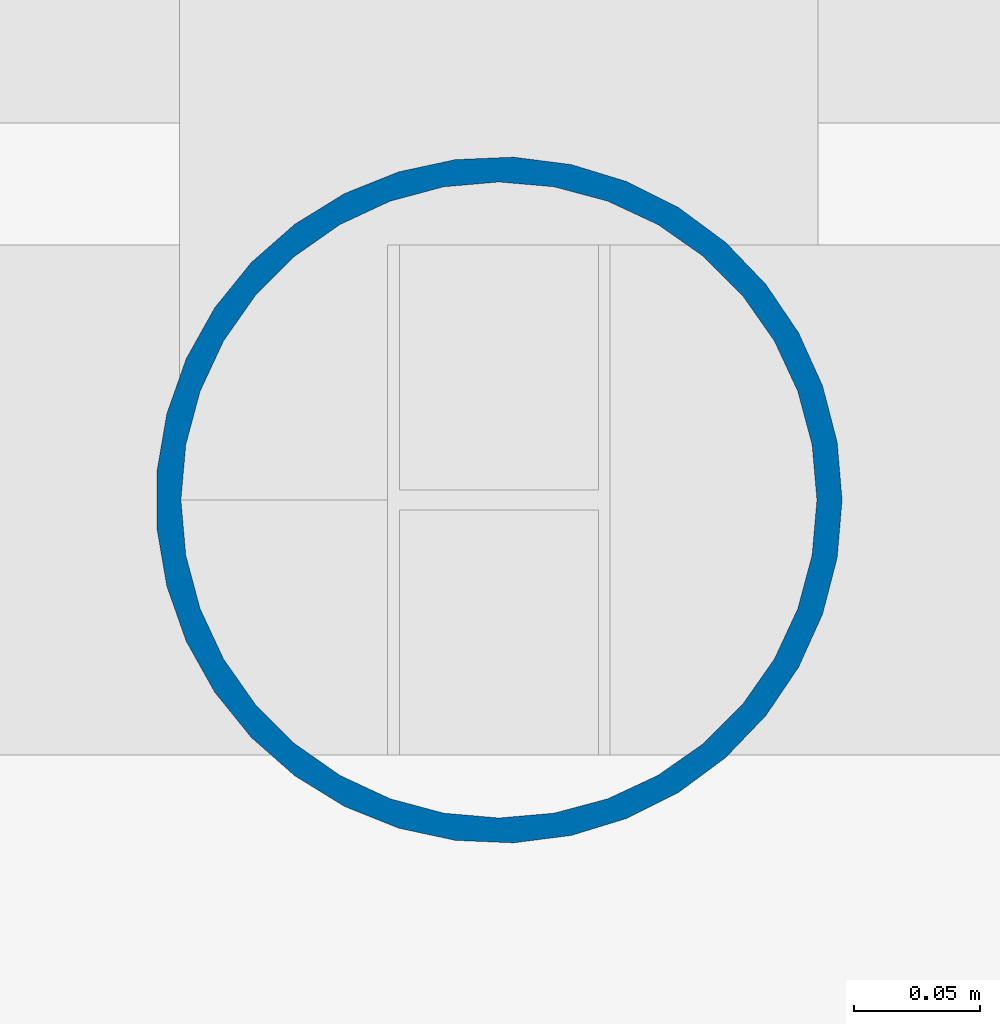
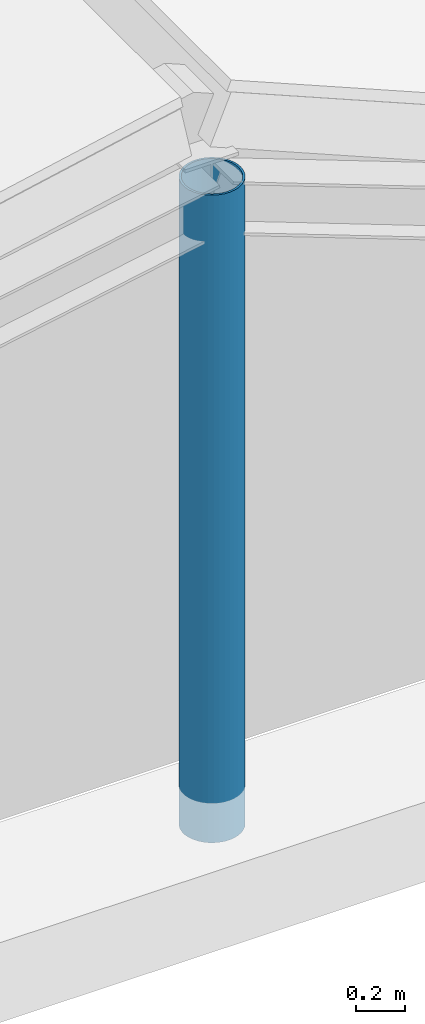
# One storey, part 3 of 43: 1 column.
"""IFC4 building model written with IfcOpenShell, lengths in metres."""

from ifc_helpers import new_model, si_unit, direction, frame, origin, origin_2d, place, context, subcontext, project, spatial, hollow_circle, extrude, material, material_profile, profile_set, type_object, element, save


model = new_model("IFC4")

# Units and contexts
model_context = context("Model", 3, precision=1e-05, world=origin(), true_north=direction((0.0, 1.0)))
body_context = subcontext(model_context, "Body", "Model", "MODEL_VIEW")
ifc_project = project(units=[si_unit("LENGTHUNIT", "METRE"), si_unit("AREAUNIT", "SQUARE_METRE"), si_unit("VOLUMEUNIT", "CUBIC_METRE"), si_unit("PLANEANGLEUNIT", "RADIAN"), si_unit("MASSUNIT", "GRAM", prefix="KILO")], contexts=[model_context])

# Site, building, storey
site_placement = place(None, origin())
site = spatial("IfcSite", under=ifc_project, at=site_placement, CompositionType="ELEMENT")
building_placement = place(site_placement, origin())
building = spatial("IfcBuilding", under=site, at=building_placement, Name="Qorikala Patio Media Centre", CompositionType="ELEMENT")
storey_placement = place(building_placement, frame((0.0, 0.0, 18.89990234375)))
storey = spatial("IfcBuildingStorey", under=building, at=storey_placement, Name="L04", CompositionType="ELEMENT", Elevation=18.89990234375)

# Column
ifc_material = material(Name="Steel S355", Category="steel")
ifc_material_profile = material_profile(ifc_material, hollow_circle(Radius=0.136474609375, WallThickness=0.010009765625, at=origin_2d()), Name="CHS273X10")
ifc_profile_set = profile_set([ifc_material_profile], Name="Steel S355")
column_type = type_object("IfcColumnType", Name="SCOL-CHS273X10", PredefinedType="COLUMN", material=ifc_profile_set)
column_placement = place(storey_placement, frame((67.0, 64.0, 0.0), z_axis=(0.0, 0.0, 1.0), x_axis=(1.0, 0.0, 0.0)))
element("IfcColumn", 1, at=column_placement, inside=storey, type_object=column_type, Name="RF-V5A Gable Ridge Post Y=64", PredefinedType="COLUMN", context=body_context, shape_type="SweptSolid", body=[
    extrude(hollow_circle(Radius=0.136474609375, WallThickness=0.010009765625, at=origin_2d()), origin(), (0.0, 0.0, 1.0), 3.25),
])

save(model, "model.ifc")
